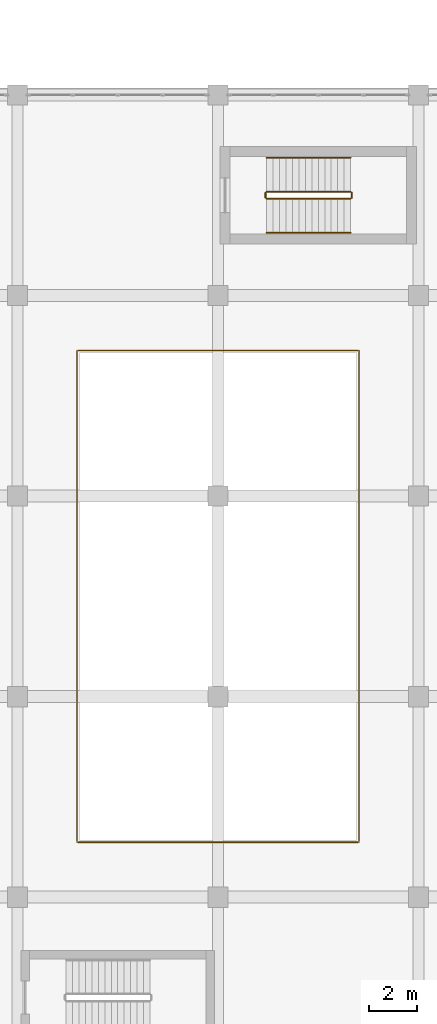
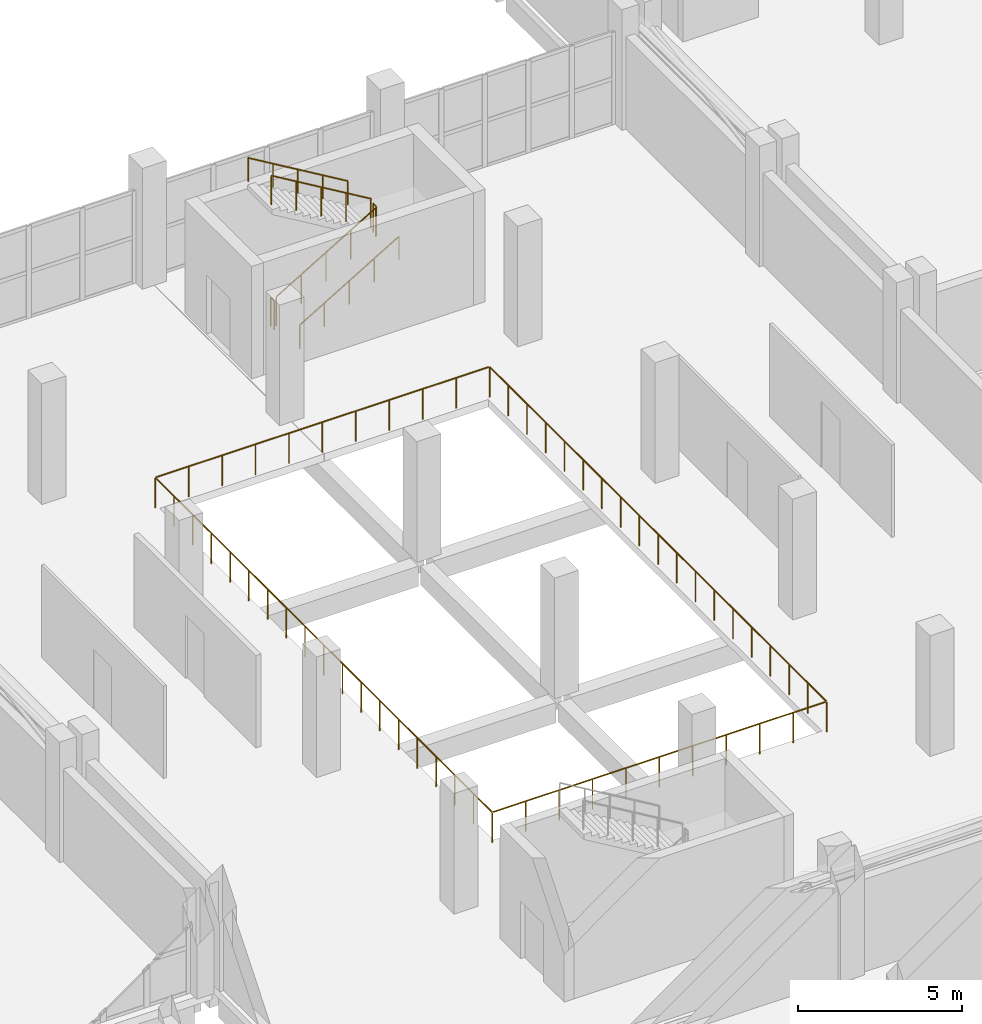
# One storey, part 132 of 137: 7 railings.
"""IFC4 building model written with IfcOpenShell, lengths in metres."""

from ifc_helpers import new_model, si_unit, direction, frame, origin, origin_2d, place, context, subcontext, project, spatial, circle, extrude, material, type_object, element, save


model = new_model("IFC4")

# Units and contexts
model_context = context("Model", 3, precision=1e-05, world=origin(), true_north=direction((0.0, 1.0)))
body_context = subcontext(model_context, "Body", "Model", "MODEL_VIEW")
ifc_project = project(units=[si_unit("LENGTHUNIT", "METRE"), si_unit("AREAUNIT", "SQUARE_METRE"), si_unit("VOLUMEUNIT", "CUBIC_METRE"), si_unit("PLANEANGLEUNIT", "RADIAN"), si_unit("MASSUNIT", "GRAM", prefix="KILO")], contexts=[model_context])

# Site, building, storey
site_placement = place(None, origin())
site = spatial("IfcSite", under=ifc_project, at=site_placement, CompositionType="ELEMENT")
building_placement = place(site_placement, origin())
building = spatial("IfcBuilding", under=site, at=building_placement, Name="Xazarin Passage Department Store", CompositionType="ELEMENT")
storey_placement = place(building_placement, frame((0.0, 0.0, 5.39990234375)))
storey = spatial("IfcBuildingStorey", under=building, at=storey_placement, Name="L01", CompositionType="ELEMENT", Elevation=5.39990234375)

# Railings
ifc_material_1 = material(Name="Low-E laminated safety glass", Category="glass")
railing_type_1 = type_object("IfcRailingType", Name="ARC-RL-BAL115", PredefinedType="BALUSTRADE", material=ifc_material_1)
railing_1_placement = place(storey_placement, frame((78.89990234375, 61.89990234375, 0.0)))
element("IfcRailing", 1, at=railing_1_placement, inside=storey, type_object=railing_type_1, Name="L01 Void Edge Balustrade 0003", PredefinedType="BALUSTRADE", context=body_context, shape_type="SweptSolid", body=[
    extrude(circle(Radius=0.02392578125, at=origin_2d()), frame((0.03125, 0.0, 1.1259765625), z_axis=(1.0, 0.0, 0.0), x_axis=(0.0, 1.0, 0.0)), (0.0, 0.0, 1.0), 11.737548828125),
    extrude(circle(Radius=0.02392578125, at=origin_2d()), frame((11.800048828125, 0.03125, 1.1259765625), z_axis=(0.0, 1.0, 0.0), x_axis=(-1.0, 0.0, 0.0)), (0.0, 0.0, 1.0), 20.53759765625),
    extrude(circle(Radius=0.02392578125, at=origin_2d()), frame((11.768798828125, 20.60009765625, 1.1259765625), z_axis=(-1.0, 0.0, 0.0), x_axis=(0.0, -1.0, 0.0)), (0.0, 0.0, 1.0), 11.737548828125),
    extrude(circle(Radius=0.02392578125, at=origin_2d()), frame((0.0, 20.56884765625, 1.1259765625), z_axis=(0.0, -1.0, 0.0), x_axis=(1.0, 0.0, 0.0)), (0.0, 0.0, 1.0), 20.53759765625),
    extrude(circle(Radius=0.02099609375, at=origin_2d()), origin(), (0.0, 0.0, 1.0), 1.1015625),
    extrude(circle(Radius=0.02099609375, at=origin_2d()), frame((1.179931640625, 0.0, 0.0)), (0.0, 0.0, 1.0), 1.1015625),
    extrude(circle(Radius=0.02099609375, at=origin_2d()), frame((2.360107421875, 0.0, 0.0)), (0.0, 0.0, 1.0), 1.1015625),
    extrude(circle(Radius=0.02099609375, at=origin_2d()), frame((3.5400390625, 0.0, 0.0)), (0.0, 0.0, 1.0), 1.1015625),
    extrude(circle(Radius=0.02099609375, at=origin_2d()), frame((4.719970703125, 0.0, 0.0)), (0.0, 0.0, 1.0), 1.1015625),
    extrude(circle(Radius=0.02099609375, at=origin_2d()), frame((5.89990234375, 0.0, 0.0)), (0.0, 0.0, 1.0), 1.1015625),
    extrude(circle(Radius=0.02099609375, at=origin_2d()), frame((7.080078125, 0.0, 0.0)), (0.0, 0.0, 1.0), 1.1015625),
    extrude(circle(Radius=0.02099609375, at=origin_2d()), frame((8.260009765625, 0.0, 0.0)), (0.0, 0.0, 1.0), 1.1015625),
    extrude(circle(Radius=0.02099609375, at=origin_2d()), frame((9.43994140625, 0.0, 0.0)), (0.0, 0.0, 1.0), 1.1015625),
    extrude(circle(Radius=0.02099609375, at=origin_2d()), frame((10.6201171875, 0.0, 0.0)), (0.0, 0.0, 1.0), 1.1015625),
    extrude(circle(Radius=0.02099609375, at=origin_2d()), frame((11.800048828125, 0.0, 0.0)), (0.0, 0.0, 1.0), 1.1015625),
    extrude(circle(Radius=0.02099609375, at=origin_2d()), frame((11.800048828125, 1.14453125, 0.0)), (0.0, 0.0, 1.0), 1.1015625),
    extrude(circle(Radius=0.02099609375, at=origin_2d()), frame((11.800048828125, 2.288818359375, 0.0)), (0.0, 0.0, 1.0), 1.1015625),
    extrude(circle(Radius=0.02099609375, at=origin_2d()), frame((11.800048828125, 3.433349609375, 0.0)), (0.0, 0.0, 1.0), 1.1015625),
    extrude(circle(Radius=0.02099609375, at=origin_2d()), frame((11.800048828125, 4.577880859375, 0.0)), (0.0, 0.0, 1.0), 1.1015625),
    extrude(circle(Radius=0.02099609375, at=origin_2d()), frame((11.800048828125, 5.72216796875, 0.0)), (0.0, 0.0, 1.0), 1.1015625),
    extrude(circle(Radius=0.02099609375, at=origin_2d()), frame((11.800048828125, 6.86669921875, 0.0)), (0.0, 0.0, 1.0), 1.1015625),
    extrude(circle(Radius=0.02099609375, at=origin_2d()), frame((11.800048828125, 8.01123046875, 0.0)), (0.0, 0.0, 1.0), 1.1015625),
    extrude(circle(Radius=0.02099609375, at=origin_2d()), frame((11.800048828125, 9.155517578125, 0.0)), (0.0, 0.0, 1.0), 1.1015625),
    extrude(circle(Radius=0.02099609375, at=origin_2d()), frame((11.800048828125, 10.300048828125, 0.0)), (0.0, 0.0, 1.0), 1.1015625),
    extrude(circle(Radius=0.02099609375, at=origin_2d()), frame((11.800048828125, 11.444580078125, 0.0)), (0.0, 0.0, 1.0), 1.1015625),
    extrude(circle(Radius=0.02099609375, at=origin_2d()), frame((11.800048828125, 12.5888671875, 0.0)), (0.0, 0.0, 1.0), 1.1015625),
    extrude(circle(Radius=0.02099609375, at=origin_2d()), frame((11.800048828125, 13.7333984375, 0.0)), (0.0, 0.0, 1.0), 1.1015625),
    extrude(circle(Radius=0.02099609375, at=origin_2d()), frame((11.800048828125, 14.8779296875, 0.0)), (0.0, 0.0, 1.0), 1.1015625),
    extrude(circle(Radius=0.02099609375, at=origin_2d()), frame((11.800048828125, 16.022216796875, 0.0)), (0.0, 0.0, 1.0), 1.1015625),
    extrude(circle(Radius=0.02099609375, at=origin_2d()), frame((11.800048828125, 17.166748046875, 0.0)), (0.0, 0.0, 1.0), 1.1015625),
    extrude(circle(Radius=0.02099609375, at=origin_2d()), frame((11.800048828125, 18.311279296875, 0.0)), (0.0, 0.0, 1.0), 1.1015625),
    extrude(circle(Radius=0.02099609375, at=origin_2d()), frame((11.800048828125, 19.45556640625, 0.0)), (0.0, 0.0, 1.0), 1.1015625),
    extrude(circle(Radius=0.02099609375, at=origin_2d()), frame((11.800048828125, 20.60009765625, 0.0)), (0.0, 0.0, 1.0), 1.1015625),
    extrude(circle(Radius=0.02099609375, at=origin_2d()), frame((10.6201171875, 20.60009765625, 0.0)), (0.0, 0.0, 1.0), 1.1015625),
    extrude(circle(Radius=0.02099609375, at=origin_2d()), frame((9.43994140625, 20.60009765625, 0.0)), (0.0, 0.0, 1.0), 1.1015625),
    extrude(circle(Radius=0.02099609375, at=origin_2d()), frame((8.260009765625, 20.60009765625, 0.0)), (0.0, 0.0, 1.0), 1.1015625),
    extrude(circle(Radius=0.02099609375, at=origin_2d()), frame((7.080078125, 20.60009765625, 0.0)), (0.0, 0.0, 1.0), 1.1015625),
    extrude(circle(Radius=0.02099609375, at=origin_2d()), frame((5.89990234375, 20.60009765625, 0.0)), (0.0, 0.0, 1.0), 1.1015625),
    extrude(circle(Radius=0.02099609375, at=origin_2d()), frame((4.719970703125, 20.60009765625, 0.0)), (0.0, 0.0, 1.0), 1.1015625),
    extrude(circle(Radius=0.02099609375, at=origin_2d()), frame((3.5400390625, 20.60009765625, 0.0)), (0.0, 0.0, 1.0), 1.1015625),
    extrude(circle(Radius=0.02099609375, at=origin_2d()), frame((2.360107421875, 20.60009765625, 0.0)), (0.0, 0.0, 1.0), 1.1015625),
    extrude(circle(Radius=0.02099609375, at=origin_2d()), frame((1.179931640625, 20.60009765625, 0.0)), (0.0, 0.0, 1.0), 1.1015625),
    extrude(circle(Radius=0.02099609375, at=origin_2d()), frame((0.0, 20.60009765625, 0.0)), (0.0, 0.0, 1.0), 1.1015625),
    extrude(circle(Radius=0.02099609375, at=origin_2d()), frame((0.0, 19.45556640625, 0.0)), (0.0, 0.0, 1.0), 1.1015625),
    extrude(circle(Radius=0.02099609375, at=origin_2d()), frame((0.0, 18.311279296875, 0.0)), (0.0, 0.0, 1.0), 1.1015625),
    extrude(circle(Radius=0.02099609375, at=origin_2d()), frame((0.0, 17.166748046875, 0.0)), (0.0, 0.0, 1.0), 1.1015625),
    extrude(circle(Radius=0.02099609375, at=origin_2d()), frame((0.0, 16.022216796875, 0.0)), (0.0, 0.0, 1.0), 1.1015625),
    extrude(circle(Radius=0.02099609375, at=origin_2d()), frame((0.0, 14.8779296875, 0.0)), (0.0, 0.0, 1.0), 1.1015625),
    extrude(circle(Radius=0.02099609375, at=origin_2d()), frame((0.0, 13.7333984375, 0.0)), (0.0, 0.0, 1.0), 1.1015625),
    extrude(circle(Radius=0.02099609375, at=origin_2d()), frame((0.0, 12.5888671875, 0.0)), (0.0, 0.0, 1.0), 1.1015625),
    extrude(circle(Radius=0.02099609375, at=origin_2d()), frame((0.0, 11.444580078125, 0.0)), (0.0, 0.0, 1.0), 1.1015625),
    extrude(circle(Radius=0.02099609375, at=origin_2d()), frame((0.0, 10.300048828125, 0.0)), (0.0, 0.0, 1.0), 1.1015625),
    extrude(circle(Radius=0.02099609375, at=origin_2d()), frame((0.0, 9.155517578125, 0.0)), (0.0, 0.0, 1.0), 1.1015625),
    extrude(circle(Radius=0.02099609375, at=origin_2d()), frame((0.0, 8.01123046875, 0.0)), (0.0, 0.0, 1.0), 1.1015625),
    extrude(circle(Radius=0.02099609375, at=origin_2d()), frame((0.0, 6.86669921875, 0.0)), (0.0, 0.0, 1.0), 1.1015625),
    extrude(circle(Radius=0.02099609375, at=origin_2d()), frame((0.0, 5.72216796875, 0.0)), (0.0, 0.0, 1.0), 1.1015625),
    extrude(circle(Radius=0.02099609375, at=origin_2d()), frame((0.0, 4.577880859375, 0.0)), (0.0, 0.0, 1.0), 1.1015625),
    extrude(circle(Radius=0.02099609375, at=origin_2d()), frame((0.0, 3.433349609375, 0.0)), (0.0, 0.0, 1.0), 1.1015625),
    extrude(circle(Radius=0.02099609375, at=origin_2d()), frame((0.0, 2.288818359375, 0.0)), (0.0, 0.0, 1.0), 1.1015625),
    extrude(circle(Radius=0.02099609375, at=origin_2d()), frame((0.0, 1.14453125, 0.0)), (0.0, 0.0, 1.0), 1.1015625),
])
ifc_material_2 = material(Name="Steel S355", Category="steel")
railing_type_2 = type_object("IfcRailingType", Name="ARC-RL-GRD112", PredefinedType="GUARDRAIL", material=ifc_material_2)
railing_2_placement = place(storey_placement, frame((86.840087890625, 88.85009765625, 0.160888671875)))
element("IfcRailing", 2, at=railing_2_placement, inside=storey, type_object=railing_type_2, Name="L01 ST7 stair guard 1", PredefinedType="GUARDRAIL", context=body_context, shape_type="SweptSolid", body=[
    extrude(circle(Radius=0.02392578125, at=origin_2d()), frame((0.0, 0.0, 1.076171875), z_axis=(0.859312273368, 0.0, 0.511451284914), x_axis=(0.0, 1.0, 0.0)), (0.0, 0.0, 1.0), 4.084716796875),
    extrude(circle(Radius=0.02099609375, at=origin_2d()), origin(), (0.0, 0.0, 1.0), 1.0517578125),
    extrude(circle(Radius=0.02099609375, at=origin_2d()), frame((0.87744140625, 0.0, 0.522216796875)), (0.0, 0.0, 1.0), 1.0517578125),
    extrude(circle(Radius=0.02099609375, at=origin_2d()), frame((1.7548828125, 0.0, 1.04443359375)), (0.0, 0.0, 1.0), 1.0517578125),
    extrude(circle(Radius=0.02099609375, at=origin_2d()), frame((2.632568359375, 0.0, 1.56689453125)), (0.0, 0.0, 1.0), 1.0517578125),
    extrude(circle(Radius=0.02099609375, at=origin_2d()), frame((3.510009765625, 0.0, 2.089111328125)), (0.0, 0.0, 1.0), 1.0517578125),
])
railing_3_placement = place(storey_placement, frame((90.39990234375, 88.89990234375, 2.25)))
element("IfcRailing", 3, at=railing_3_placement, inside=storey, type_object=railing_type_2, Name="L01 ST7 stair guard 2", PredefinedType="GUARDRAIL", context=body_context, shape_type="SweptSolid", body=[
    extrude(circle(Radius=0.02392578125, at=origin_2d()), frame((0.0, 0.0, 1.076171875), z_axis=(0.0, 1.0, 0.0), x_axis=(-1.0, 0.0, 0.0)), (0.0, 0.0, 1.0), 0.2001953125),
    extrude(circle(Radius=0.02099609375, at=origin_2d()), origin(), (0.0, 0.0, 1.0), 1.0517578125),
    extrude(circle(Radius=0.02099609375, at=origin_2d()), frame((0.0, 0.2001953125, 0.0)), (0.0, 0.0, 1.0), 1.0517578125),
])
railing_4_placement = place(storey_placement, frame((90.35009765625, 89.14990234375, 2.410888671875)))
element("IfcRailing", 4, at=railing_4_placement, inside=storey, type_object=railing_type_2, Name="L01 ST7 stair guard 3", PredefinedType="GUARDRAIL", context=body_context, shape_type="SweptSolid", body=[
    extrude(circle(Radius=0.02392578125, at=origin_2d()), frame((0.0, 0.0, 1.076171875), z_axis=(-0.859312273368, 0.0, 0.511451284914), x_axis=(0.0, -1.0, 0.0)), (0.0, 0.0, 1.0), 4.084716796875),
    extrude(circle(Radius=0.02099609375, at=origin_2d()), origin(), (0.0, 0.0, 1.0), 1.0517578125),
    extrude(circle(Radius=0.02099609375, at=origin_2d()), frame((-0.87744140625, 0.0, 0.522216796875)), (0.0, 0.0, 1.0), 1.0517578125),
    extrude(circle(Radius=0.02099609375, at=origin_2d()), frame((-1.7548828125, 0.0, 1.04443359375)), (0.0, 0.0, 1.0), 1.0517578125),
    extrude(circle(Radius=0.02099609375, at=origin_2d()), frame((-2.632568359375, 0.0, 1.56689453125)), (0.0, 0.0, 1.0), 1.0517578125),
    extrude(circle(Radius=0.02099609375, at=origin_2d()), frame((-3.510009765625, 0.0, 2.089111328125)), (0.0, 0.0, 1.0), 1.0517578125),
])
railing_5_placement = place(storey_placement, frame((86.7900390625, 88.89990234375, 0.0)))
element("IfcRailing", 5, at=railing_5_placement, inside=storey, type_object=railing_type_2, Name="L01 ST7 stair guard 4", PredefinedType="GUARDRAIL", context=body_context, shape_type="SweptSolid", body=[
    extrude(circle(Radius=0.02392578125, at=origin_2d()), frame((0.0, 0.0, 1.076171875), z_axis=(0.0, 1.0, 0.0), x_axis=(-1.0, 0.0, 0.0)), (0.0, 0.0, 1.0), 0.2001953125),
    extrude(circle(Radius=0.02099609375, at=origin_2d()), origin(), (0.0, 0.0, 1.0), 1.0517578125),
    extrude(circle(Radius=0.02099609375, at=origin_2d()), frame((0.0, 0.2001953125, 0.0)), (0.0, 0.0, 1.0), 1.0517578125),
])
railing_type_3 = type_object("IfcRailingType", Name="ARC-RL-HND090", PredefinedType="HANDRAIL", material=ifc_material_2)
railing_6_placement = place(storey_placement, frame((86.840087890625, 87.429931640625, 0.160888671875)))
element("IfcRailing", 6, at=railing_6_placement, inside=storey, type_object=railing_type_3, Name="L01 ST7 stair handrail 1", PredefinedType="HANDRAIL", context=body_context, shape_type="SweptSolid", body=[
    extrude(circle(Radius=0.02392578125, at=origin_2d()), frame((0.0, 0.0, 0.8759765625), z_axis=(0.859312273368, 0.0, 0.511451284914), x_axis=(0.0, 1.0, 0.0)), (0.0, 0.0, 1.0), 4.084716796875),
    extrude(circle(Radius=0.02099609375, at=origin_2d()), origin(), (0.0, 0.0, 1.0), 0.8515625),
    extrude(circle(Radius=0.02099609375, at=origin_2d()), frame((0.87744140625, 0.0, 0.522216796875)), (0.0, 0.0, 1.0), 0.8515625),
    extrude(circle(Radius=0.02099609375, at=origin_2d()), frame((1.7548828125, 0.0, 1.04443359375)), (0.0, 0.0, 1.0), 0.8515625),
    extrude(circle(Radius=0.02099609375, at=origin_2d()), frame((2.632568359375, 0.0, 1.56689453125)), (0.0, 0.0, 1.0), 0.8515625),
    extrude(circle(Radius=0.02099609375, at=origin_2d()), frame((3.510009765625, 0.0, 2.089111328125)), (0.0, 0.0, 1.0), 0.8515625),
])
railing_7_placement = place(storey_placement, frame((90.35009765625, 90.570068359375, 2.410888671875)))
element("IfcRailing", 7, at=railing_7_placement, inside=storey, type_object=railing_type_3, Name="L01 ST7 stair handrail 2", PredefinedType="HANDRAIL", context=body_context, shape_type="SweptSolid", body=[
    extrude(circle(Radius=0.02392578125, at=origin_2d()), frame((0.0, 0.0, 0.8759765625), z_axis=(-0.859312273368, 0.0, 0.511451284914), x_axis=(0.0, -1.0, 0.0)), (0.0, 0.0, 1.0), 4.084716796875),
    extrude(circle(Radius=0.02099609375, at=origin_2d()), origin(), (0.0, 0.0, 1.0), 0.8515625),
    extrude(circle(Radius=0.02099609375, at=origin_2d()), frame((-0.87744140625, 0.0, 0.522216796875)), (0.0, 0.0, 1.0), 0.8515625),
    extrude(circle(Radius=0.02099609375, at=origin_2d()), frame((-1.7548828125, 0.0, 1.04443359375)), (0.0, 0.0, 1.0), 0.8515625),
    extrude(circle(Radius=0.02099609375, at=origin_2d()), frame((-2.632568359375, 0.0, 1.56689453125)), (0.0, 0.0, 1.0), 0.8515625),
    extrude(circle(Radius=0.02099609375, at=origin_2d()), frame((-3.510009765625, 0.0, 2.089111328125)), (0.0, 0.0, 1.0), 0.8515625),
])

save(model, "model.ifc")
